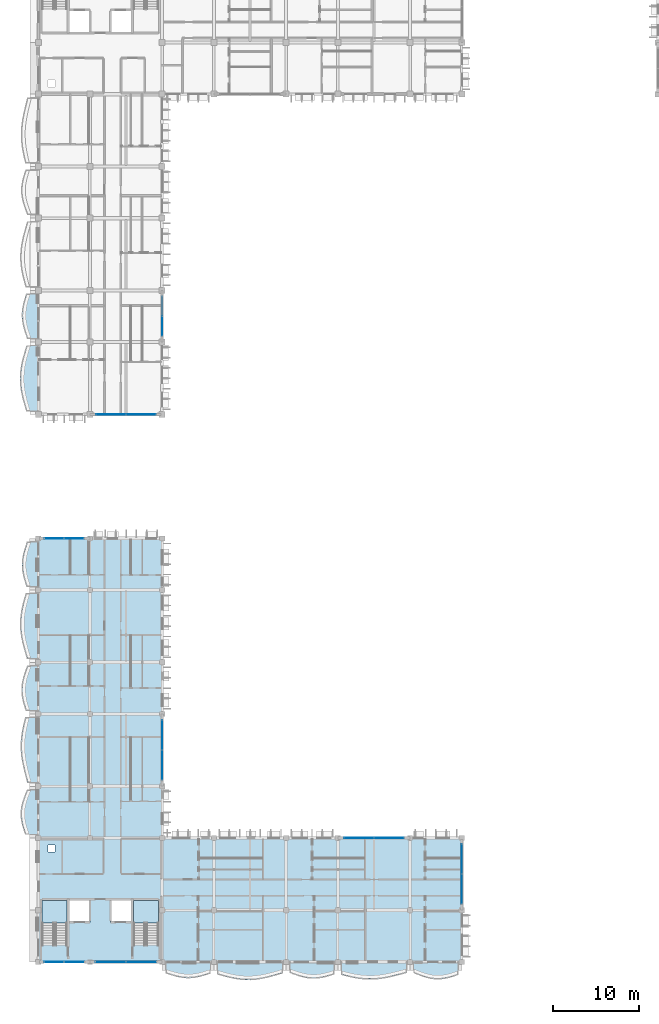
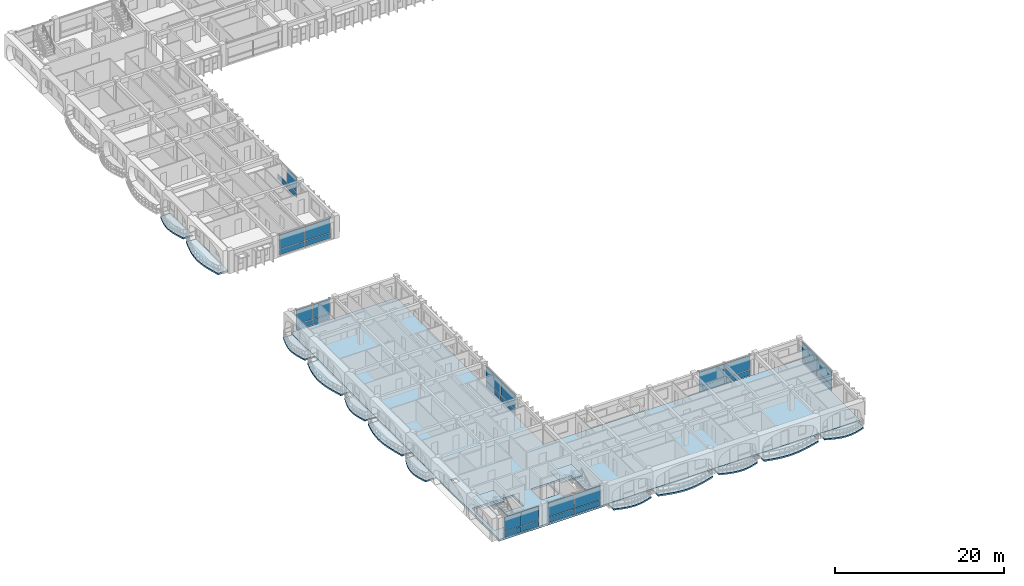
# One storey, part 21 of 79: 31 plates, 15 slabs, 10 elements without a shape of their own.
"""IFC4 building model written with IfcOpenShell, lengths in metres."""

from ifc_helpers import new_model, si_unit, direction, frame, origin, origin_2d, place, context, subcontext, project, spatial, polyline, rectangle, outline, extrude, material, layer, layer_set, type_object, element, aggregate, save


model = new_model("IFC4")

# Units and contexts
model_context = context("Model", 3, precision=1e-05, world=origin(), true_north=direction((0.0, 1.0)))
body_context = subcontext(model_context, "Body", "Model", "MODEL_VIEW")
ifc_project = project(units=[si_unit("LENGTHUNIT", "METRE"), si_unit("AREAUNIT", "SQUARE_METRE"), si_unit("VOLUMEUNIT", "CUBIC_METRE"), si_unit("PLANEANGLEUNIT", "RADIAN"), si_unit("MASSUNIT", "GRAM", prefix="KILO"), si_unit("THERMODYNAMICTEMPERATUREUNIT", "KELVIN")], contexts=[model_context])

# Site, building, storey
site_placement = place(None, origin())
site = spatial("IfcSite", under=ifc_project, at=site_placement, CompositionType="ELEMENT")
building_placement = place(site_placement, origin())
building = spatial("IfcBuilding", under=site, at=building_placement, Name="Thalorik Housing Commons", CompositionType="ELEMENT")
storey_placement = place(building_placement, frame((0.0, 0.0, 11.39990234375)))
storey = spatial("IfcBuildingStorey", under=building, at=storey_placement, Name="L03", CompositionType="ELEMENT", Elevation=11.39990234375)

# Curtain wall, plates
ifc_material_1 = material(Name="Anodised aluminium and solar-control low-E glass", Category="aluminium")
curtain_wall_type_1 = type_object("IfcCurtainWallType", Name="ARC-CW-LOUNGE", PredefinedType="USERDEFINED", material=ifc_material_1)
curtain_wall_1_placement = place(storey_placement, origin())
curtain_wall_1 = element("IfcCurtainWall", 1, at=curtain_wall_1_placement, inside=storey, type_object=curtain_wall_type_1, Name="L03 Curtain Wall CW-RES-L03-A-017", ObjectType="CURTAIN WALL", PredefinedType="USERDEFINED")
ifc_material_2 = material(Name="Cobalt blue enamelled aluminium spandrel panel", Category="aluminium")
ifc_layer_1 = layer(ifc_material_2, 0.0458984375, Name="Cobalt blue enamelled aluminium spandrel panel", Category="aluminium")
ifc_layer_set_1 = layer_set([ifc_layer_1], Name="Cobalt blue enamelled aluminium spandrel panel")
plate_type_1 = type_object("IfcPlateType", Name="ARC-CP-BLU-46", PredefinedType="CURTAIN_PANEL", material=ifc_layer_set_1)
plate_1_placement = place(storey_placement, frame((22.800048828125, 82.25, 0.080078125), z_axis=(0.0, 0.0, 1.0), x_axis=(0.0, 1.0, 0.0)))
plate_1 = element("IfcPlate", 2, at=plate_1_placement, type_object=plate_type_1, Name="CW-RES-L03-A-017 Spandrel Panel 1", PredefinedType="CURTAIN_PANEL", context=body_context, shape_type="SweptSolid", body=[
    extrude(rectangle(XDim=2.239990234375, YDim=0.0458984375, at=origin_2d()), origin(), (0.0, 0.0, 1.0), 0.760009765625),
])
plate_2_placement = place(storey_placement, frame((22.800048828125, 84.550048828125, 0.080078125), z_axis=(0.0, 0.0, 1.0), x_axis=(0.0, 1.0, 0.0)))
plate_2 = element("IfcPlate", 3, at=plate_2_placement, type_object=plate_type_1, Name="CW-RES-L03-A-017 Spandrel Panel 2", PredefinedType="CURTAIN_PANEL", context=body_context, shape_type="SweptSolid", body=[
    extrude(rectangle(XDim=2.239990234375, YDim=0.0458984375, at=origin_2d()), origin(), (0.0, 0.0, 1.0), 0.760009765625),
])

curtain_wall_type_2 = type_object("IfcCurtainWallType", Name="ARC-CW-CORE", PredefinedType="USERDEFINED", material=ifc_material_1)
curtain_wall_2_placement = place(storey_placement, origin())
curtain_wall_2 = element("IfcCurtainWall", 4, at=curtain_wall_2_placement, inside=storey, type_object=curtain_wall_type_2, Name="L03 Curtain Wall CW-CORE-L03-C-140", ObjectType="CURTAIN WALL", PredefinedType="USERDEFINED")
plate_3_placement = place(storey_placement, frame((10.22509765625, 8.39990234375, 0.080078125), z_axis=(0.0, 0.0, 1.0), x_axis=(1.0, 0.0, 0.0)))
plate_3 = element("IfcPlate", 5, at=plate_3_placement, type_object=plate_type_1, Name="CW-CORE-L03-C-140 Spandrel Panel 1", PredefinedType="CURTAIN_PANEL", context=body_context, shape_type="SweptSolid", body=[
    extrude(rectangle(XDim=2.2900390625, YDim=0.0458984375, at=origin_2d()), origin(), (0.0, 0.0, 1.0), 0.760009765625),
])
plate_4_placement = place(storey_placement, frame((12.574951171875, 8.39990234375, 0.080078125), z_axis=(0.0, 0.0, 1.0), x_axis=(1.0, 0.0, 0.0)))
plate_4 = element("IfcPlate", 6, at=plate_4_placement, type_object=plate_type_1, Name="CW-CORE-L03-C-140 Spandrel Panel 2", PredefinedType="CURTAIN_PANEL", context=body_context, shape_type="SweptSolid", body=[
    extrude(rectangle(XDim=2.2900390625, YDim=0.0458984375, at=origin_2d()), origin(), (0.0, 0.0, 1.0), 0.760009765625),
])

curtain_wall_3_placement = place(storey_placement, origin())
curtain_wall_3 = element("IfcCurtainWall", 7, at=curtain_wall_3_placement, inside=storey, type_object=curtain_wall_type_1, Name="L03 Curtain Wall CW-RES-L03-A-016", ObjectType="CURTAIN WALL", PredefinedType="USERDEFINED")
ifc_material_3 = material(Name="Double solar-control low-E glass", Category="glass")
ifc_layer_2 = layer(ifc_material_3, 0.028076171875, Name="Double solar-control low-E glass", Category="glass")
ifc_layer_set_2 = layer_set([ifc_layer_2], Name="Double solar-control low-E glass")
plate_type_2 = type_object("IfcPlateType", Name="ARC-CP-GLZ-28", PredefinedType="CURTAIN_PANEL", material=ifc_layer_set_2)
plate_5_placement = place(storey_placement, frame((16.85009765625, 72.0, 0.920166015625), z_axis=(0.0, 0.0, 1.0), x_axis=(1.0, 0.0, 0.0)))
plate_5 = element("IfcPlate", 8, at=plate_5_placement, type_object=plate_type_2, Name="CW-RES-L03-A-016 Vision Panel 1", PredefinedType="CURTAIN_PANEL", context=body_context, shape_type="SweptSolid", body=[
    extrude(rectangle(XDim=3.43994140625, YDim=0.028076171875, at=origin_2d()), origin(), (0.0, 0.0, 1.0), 2.0400390625),
])
plate_6_placement = place(storey_placement, frame((20.35009765625, 72.0, 0.920166015625), z_axis=(0.0, 0.0, 1.0), x_axis=(1.0, 0.0, 0.0)))
plate_6 = element("IfcPlate", 9, at=plate_6_placement, type_object=plate_type_2, Name="CW-RES-L03-A-016 Vision Panel 2", PredefinedType="CURTAIN_PANEL", context=body_context, shape_type="SweptSolid", body=[
    extrude(rectangle(XDim=3.43994140625, YDim=0.028076171875, at=origin_2d()), origin(), (0.0, 0.0, 1.0), 2.0400390625),
])

# Plate
plate_7_placement = place(storey_placement, frame((22.800048828125, 82.25, 0.920166015625), z_axis=(0.0, 0.0, 1.0), x_axis=(0.0, 1.0, 0.0)))
plate_7 = element("IfcPlate", 10, at=plate_7_placement, type_object=plate_type_2, Name="CW-RES-L03-A-017 Vision Panel 1", PredefinedType="CURTAIN_PANEL", context=body_context, shape_type="SweptSolid", body=[
    extrude(rectangle(XDim=2.239990234375, YDim=0.028076171875, at=origin_2d()), origin(), (0.0, 0.0, 1.0), 2.0400390625),
])

aggregate(curtain_wall_1, [plate_1, plate_7, plate_2])

# Curtain wall, plates
curtain_wall_4_placement = place(storey_placement, origin())
curtain_wall_4 = element("IfcCurtainWall", 11, at=curtain_wall_4_placement, inside=storey, type_object=curtain_wall_type_1, Name="L03 Curtain Wall CW-RES-L03-C-137", ObjectType="CURTAIN WALL", PredefinedType="USERDEFINED")
plate_8_placement = place(storey_placement, frame((22.800048828125, 31.25, 0.920166015625), z_axis=(0.0, 0.0, 1.0), x_axis=(0.0, 1.0, 0.0)))
plate_8 = element("IfcPlate", 12, at=plate_8_placement, type_object=plate_type_2, Name="CW-RES-L03-C-137 Vision Panel 1", PredefinedType="CURTAIN_PANEL", context=body_context, shape_type="SweptSolid", body=[
    extrude(rectangle(XDim=3.43994140625, YDim=0.028076171875, at=origin_2d()), origin(), (0.0, 0.0, 1.0), 2.0400390625),
])
plate_9_placement = place(storey_placement, frame((22.800048828125, 34.75, 0.920166015625), z_axis=(0.0, 0.0, 1.0), x_axis=(0.0, 1.0, 0.0)))
plate_9 = element("IfcPlate", 13, at=plate_9_placement, type_object=plate_type_2, Name="CW-RES-L03-C-137 Vision Panel 2", PredefinedType="CURTAIN_PANEL", context=body_context, shape_type="SweptSolid", body=[
    extrude(rectangle(XDim=3.43994140625, YDim=0.028076171875, at=origin_2d()), origin(), (0.0, 0.0, 1.0), 2.0400390625),
])

curtain_wall_5_placement = place(storey_placement, origin())
curtain_wall_5 = element("IfcCurtainWall", 14, at=curtain_wall_5_placement, inside=storey, type_object=curtain_wall_type_1, Name="L03 Curtain Wall CW-RES-L03-C-138", ObjectType="CURTAIN WALL", PredefinedType="USERDEFINED")
plate_10_placement = place(storey_placement, frame((12.550048828125, 57.60009765625, 0.920166015625), z_axis=(0.0, 0.0, 1.0), x_axis=(-1.0, 0.0, 0.0)))
plate_10 = element("IfcPlate", 15, at=plate_10_placement, type_object=plate_type_2, Name="CW-RES-L03-C-138 Vision Panel 1", PredefinedType="CURTAIN_PANEL", context=body_context, shape_type="SweptSolid", body=[
    extrude(rectangle(XDim=2.239990234375, YDim=0.028076171875, at=origin_2d()), origin(), (0.0, 0.0, 1.0), 2.0400390625),
])
plate_11_placement = place(storey_placement, frame((10.25, 57.60009765625, 0.920166015625), z_axis=(0.0, 0.0, 1.0), x_axis=(-1.0, 0.0, 0.0)))
plate_11 = element("IfcPlate", 16, at=plate_11_placement, type_object=plate_type_2, Name="CW-RES-L03-C-138 Vision Panel 2", PredefinedType="CURTAIN_PANEL", context=body_context, shape_type="SweptSolid", body=[
    extrude(rectangle(XDim=2.239990234375, YDim=0.028076171875, at=origin_2d()), origin(), (0.0, 0.0, 1.0), 2.0400390625),
])

# Plate
plate_12_placement = place(storey_placement, frame((10.22509765625, 8.39990234375, 0.920166015625), z_axis=(0.0, 0.0, 1.0), x_axis=(1.0, 0.0, 0.0)))
plate_12 = element("IfcPlate", 17, at=plate_12_placement, type_object=plate_type_2, Name="CW-CORE-L03-C-140 Vision Panel 1", PredefinedType="CURTAIN_PANEL", context=body_context, shape_type="SweptSolid", body=[
    extrude(rectangle(XDim=2.2900390625, YDim=0.028076171875, at=origin_2d()), origin(), (0.0, 0.0, 1.0), 2.0400390625),
])

plate_13_placement = place(storey_placement, frame((12.574951171875, 8.39990234375, 0.920166015625), z_axis=(0.0, 0.0, 1.0), x_axis=(1.0, 0.0, 0.0)))
plate_13 = element("IfcPlate", 18, at=plate_13_placement, type_object=plate_type_2, Name="CW-CORE-L03-C-140 Vision Panel 2", PredefinedType="CURTAIN_PANEL", context=body_context, shape_type="SweptSolid", body=[
    extrude(rectangle(XDim=2.2900390625, YDim=0.028076171875, at=origin_2d()), origin(), (0.0, 0.0, 1.0), 2.0400390625),
])

aggregate(curtain_wall_2, [plate_3, plate_12, plate_4, plate_13])

# Curtain wall, plates
curtain_wall_6_placement = place(storey_placement, origin())
curtain_wall_6 = element("IfcCurtainWall", 19, at=curtain_wall_6_placement, inside=storey, type_object=curtain_wall_type_2, Name="L03 Curtain Wall CW-CORE-L03-C-141", ObjectType="CURTAIN WALL", PredefinedType="USERDEFINED")
plate_14_placement = place(storey_placement, frame((16.824951171875, 8.39990234375, 0.920166015625), z_axis=(0.0, 0.0, 1.0), x_axis=(1.0, 0.0, 0.0)))
plate_14 = element("IfcPlate", 20, at=plate_14_placement, type_object=plate_type_2, Name="CW-CORE-L03-C-141 Vision Panel 1", PredefinedType="CURTAIN_PANEL", context=body_context, shape_type="SweptSolid", body=[
    extrude(rectangle(XDim=3.489990234375, YDim=0.028076171875, at=origin_2d()), origin(), (0.0, 0.0, 1.0), 2.0400390625),
])
plate_15_placement = place(storey_placement, frame((20.375, 8.39990234375, 0.920166015625), z_axis=(0.0, 0.0, 1.0), x_axis=(1.0, 0.0, 0.0)))
plate_15 = element("IfcPlate", 21, at=plate_15_placement, type_object=plate_type_2, Name="CW-CORE-L03-C-141 Vision Panel 2", PredefinedType="CURTAIN_PANEL", context=body_context, shape_type="SweptSolid", body=[
    extrude(rectangle(XDim=3.489990234375, YDim=0.028076171875, at=origin_2d()), origin(), (0.0, 0.0, 1.0), 2.0400390625),
])

curtain_wall_7_placement = place(storey_placement, origin())
curtain_wall_7 = element("IfcCurtainWall", 22, at=curtain_wall_7_placement, inside=storey, type_object=curtain_wall_type_1, Name="L03 Curtain Wall CW-RES-L03-C-142", ObjectType="CURTAIN WALL", PredefinedType="USERDEFINED")
plate_16_placement = place(storey_placement, frame((57.60009765625, 16.85009765625, 0.920166015625), z_axis=(0.0, 0.0, 1.0), x_axis=(0.0, 1.0, 0.0)))
plate_16 = element("IfcPlate", 23, at=plate_16_placement, type_object=plate_type_2, Name="CW-RES-L03-C-142 Vision Panel 1", PredefinedType="CURTAIN_PANEL", context=body_context, shape_type="SweptSolid", body=[
    extrude(rectangle(XDim=3.43994140625, YDim=0.028076171875, at=origin_2d()), origin(), (0.0, 0.0, 1.0), 2.0400390625),
])
plate_17_placement = place(storey_placement, frame((57.60009765625, 20.35009765625, 0.920166015625), z_axis=(0.0, 0.0, 1.0), x_axis=(0.0, 1.0, 0.0)))
plate_17 = element("IfcPlate", 24, at=plate_17_placement, type_object=plate_type_2, Name="CW-RES-L03-C-142 Vision Panel 2", PredefinedType="CURTAIN_PANEL", context=body_context, shape_type="SweptSolid", body=[
    extrude(rectangle(XDim=3.43994140625, YDim=0.028076171875, at=origin_2d()), origin(), (0.0, 0.0, 1.0), 2.0400390625),
])

curtain_wall_8_placement = place(storey_placement, origin())
curtain_wall_8 = element("IfcCurtainWall", 25, at=curtain_wall_8_placement, inside=storey, type_object=curtain_wall_type_1, Name="L03 Curtain Wall CW-RES-L03-C-143", ObjectType="CURTAIN WALL", PredefinedType="USERDEFINED")
plate_18_placement = place(storey_placement, frame((49.14990234375, 22.800048828125, 0.920166015625), z_axis=(0.0, 0.0, 1.0), x_axis=(-1.0, 0.0, 0.0)))
plate_18 = element("IfcPlate", 26, at=plate_18_placement, type_object=plate_type_2, Name="CW-RES-L03-C-143 Vision Panel 1", PredefinedType="CURTAIN_PANEL", context=body_context, shape_type="SweptSolid", body=[
    extrude(rectangle(XDim=3.43994140625, YDim=0.028076171875, at=origin_2d()), origin(), (0.0, 0.0, 1.0), 2.0400390625),
])
plate_19_placement = place(storey_placement, frame((45.64990234375, 22.800048828125, 0.920166015625), z_axis=(0.0, 0.0, 1.0), x_axis=(-1.0, 0.0, 0.0)))
plate_19 = element("IfcPlate", 27, at=plate_19_placement, type_object=plate_type_2, Name="CW-RES-L03-C-143 Vision Panel 2", PredefinedType="CURTAIN_PANEL", context=body_context, shape_type="SweptSolid", body=[
    extrude(rectangle(XDim=3.43994140625, YDim=0.028076171875, at=origin_2d()), origin(), (0.0, 0.0, 1.0), 2.0400390625),
])

# Plate
ifc_material_4 = material(Name="Oxide red enamelled aluminium spandrel panel", Category="aluminium")
ifc_layer_3 = layer(ifc_material_4, 0.0419921875, Name="Oxide red enamelled aluminium spandrel panel", Category="aluminium")
ifc_layer_set_3 = layer_set([ifc_layer_3], Name="Oxide red enamelled aluminium spandrel panel")
plate_type_3 = type_object("IfcPlateType", Name="ARC-CP-RED-42", PredefinedType="CURTAIN_PANEL", material=ifc_layer_set_3)
plate_20_placement = place(storey_placement, frame((22.800048828125, 31.25, 0.080078125), z_axis=(0.0, 0.0, 1.0), x_axis=(0.0, 1.0, 0.0)))
plate_20 = element("IfcPlate", 28, at=plate_20_placement, type_object=plate_type_3, Name="CW-RES-L03-C-137 Spandrel Panel 1", PredefinedType="CURTAIN_PANEL", context=body_context, shape_type="SweptSolid", body=[
    extrude(rectangle(XDim=3.43994140625, YDim=0.0419921875, at=origin_2d()), origin(), (0.0, 0.0, 1.0), 0.760009765625),
])

plate_21_placement = place(storey_placement, frame((22.800048828125, 34.75, 0.080078125), z_axis=(0.0, 0.0, 1.0), x_axis=(0.0, 1.0, 0.0)))
plate_21 = element("IfcPlate", 29, at=plate_21_placement, type_object=plate_type_3, Name="CW-RES-L03-C-137 Spandrel Panel 2", PredefinedType="CURTAIN_PANEL", context=body_context, shape_type="SweptSolid", body=[
    extrude(rectangle(XDim=3.43994140625, YDim=0.0419921875, at=origin_2d()), origin(), (0.0, 0.0, 1.0), 0.760009765625),
])

aggregate(curtain_wall_4, [plate_20, plate_8, plate_21, plate_9])

plate_22_placement = place(storey_placement, frame((57.60009765625, 16.85009765625, 0.080078125), z_axis=(0.0, 0.0, 1.0), x_axis=(0.0, 1.0, 0.0)))
plate_22 = element("IfcPlate", 30, at=plate_22_placement, type_object=plate_type_3, Name="CW-RES-L03-C-142 Spandrel Panel 1", PredefinedType="CURTAIN_PANEL", context=body_context, shape_type="SweptSolid", body=[
    extrude(rectangle(XDim=3.43994140625, YDim=0.0419921875, at=origin_2d()), origin(), (0.0, 0.0, 1.0), 0.760009765625),
])

plate_23_placement = place(storey_placement, frame((57.60009765625, 20.35009765625, 0.080078125), z_axis=(0.0, 0.0, 1.0), x_axis=(0.0, 1.0, 0.0)))
plate_23 = element("IfcPlate", 31, at=plate_23_placement, type_object=plate_type_3, Name="CW-RES-L03-C-142 Spandrel Panel 2", PredefinedType="CURTAIN_PANEL", context=body_context, shape_type="SweptSolid", body=[
    extrude(rectangle(XDim=3.43994140625, YDim=0.0419921875, at=origin_2d()), origin(), (0.0, 0.0, 1.0), 0.760009765625),
])

aggregate(curtain_wall_7, [plate_22, plate_16, plate_23, plate_17])

ifc_material_5 = material(Name="Mineral ochre yellow aluminium spandrel panel", Category="aluminium")
ifc_layer_4 = layer(ifc_material_5, 0.050048828125, Name="Mineral ochre yellow aluminium spandrel panel", Category="aluminium")
ifc_layer_set_4 = layer_set([ifc_layer_4], Name="Mineral ochre yellow aluminium spandrel panel")
plate_type_4 = type_object("IfcPlateType", Name="ARC-CP-YEL-50", PredefinedType="CURTAIN_PANEL", material=ifc_layer_set_4)
plate_24_placement = place(storey_placement, frame((16.85009765625, 72.0, 0.080078125), z_axis=(0.0, 0.0, 1.0), x_axis=(1.0, 0.0, 0.0)))
plate_24 = element("IfcPlate", 32, at=plate_24_placement, type_object=plate_type_4, Name="CW-RES-L03-A-016 Spandrel Panel 1", PredefinedType="CURTAIN_PANEL", context=body_context, shape_type="SweptSolid", body=[
    extrude(rectangle(XDim=3.43994140625, YDim=0.050048828125, at=origin_2d()), origin(), (0.0, 0.0, 1.0), 0.760009765625),
])

plate_25_placement = place(storey_placement, frame((20.35009765625, 72.0, 0.080078125), z_axis=(0.0, 0.0, 1.0), x_axis=(1.0, 0.0, 0.0)))
plate_25 = element("IfcPlate", 33, at=plate_25_placement, type_object=plate_type_4, Name="CW-RES-L03-A-016 Spandrel Panel 2", PredefinedType="CURTAIN_PANEL", context=body_context, shape_type="SweptSolid", body=[
    extrude(rectangle(XDim=3.43994140625, YDim=0.050048828125, at=origin_2d()), origin(), (0.0, 0.0, 1.0), 0.760009765625),
])

aggregate(curtain_wall_3, [plate_24, plate_5, plate_25, plate_6])

plate_26_placement = place(storey_placement, frame((12.550048828125, 57.60009765625, 0.080078125), z_axis=(0.0, 0.0, 1.0), x_axis=(-1.0, 0.0, 0.0)))
plate_26 = element("IfcPlate", 34, at=plate_26_placement, type_object=plate_type_4, Name="CW-RES-L03-C-138 Spandrel Panel 1", PredefinedType="CURTAIN_PANEL", context=body_context, shape_type="SweptSolid", body=[
    extrude(rectangle(XDim=2.239990234375, YDim=0.050048828125, at=origin_2d()), origin(), (0.0, 0.0, 1.0), 0.760009765625),
])

plate_27_placement = place(storey_placement, frame((10.25, 57.60009765625, 0.080078125), z_axis=(0.0, 0.0, 1.0), x_axis=(-1.0, 0.0, 0.0)))
plate_27 = element("IfcPlate", 35, at=plate_27_placement, type_object=plate_type_4, Name="CW-RES-L03-C-138 Spandrel Panel 2", PredefinedType="CURTAIN_PANEL", context=body_context, shape_type="SweptSolid", body=[
    extrude(rectangle(XDim=2.239990234375, YDim=0.050048828125, at=origin_2d()), origin(), (0.0, 0.0, 1.0), 0.760009765625),
])

aggregate(curtain_wall_5, [plate_26, plate_10, plate_27, plate_11])

plate_28_placement = place(storey_placement, frame((16.824951171875, 8.39990234375, 0.080078125), z_axis=(0.0, 0.0, 1.0), x_axis=(1.0, 0.0, 0.0)))
plate_28 = element("IfcPlate", 36, at=plate_28_placement, type_object=plate_type_4, Name="CW-CORE-L03-C-141 Spandrel Panel 1", PredefinedType="CURTAIN_PANEL", context=body_context, shape_type="SweptSolid", body=[
    extrude(rectangle(XDim=3.489990234375, YDim=0.050048828125, at=origin_2d()), origin(), (0.0, 0.0, 1.0), 0.760009765625),
])

plate_29_placement = place(storey_placement, frame((20.375, 8.39990234375, 0.080078125), z_axis=(0.0, 0.0, 1.0), x_axis=(1.0, 0.0, 0.0)))
plate_29 = element("IfcPlate", 37, at=plate_29_placement, type_object=plate_type_4, Name="CW-CORE-L03-C-141 Spandrel Panel 2", PredefinedType="CURTAIN_PANEL", context=body_context, shape_type="SweptSolid", body=[
    extrude(rectangle(XDim=3.489990234375, YDim=0.050048828125, at=origin_2d()), origin(), (0.0, 0.0, 1.0), 0.760009765625),
])

aggregate(curtain_wall_6, [plate_28, plate_14, plate_29, plate_15])

plate_30_placement = place(storey_placement, frame((49.14990234375, 22.800048828125, 0.080078125), z_axis=(0.0, 0.0, 1.0), x_axis=(-1.0, 0.0, 0.0)))
plate_30 = element("IfcPlate", 38, at=plate_30_placement, type_object=plate_type_4, Name="CW-RES-L03-C-143 Spandrel Panel 1", PredefinedType="CURTAIN_PANEL", context=body_context, shape_type="SweptSolid", body=[
    extrude(rectangle(XDim=3.43994140625, YDim=0.050048828125, at=origin_2d()), origin(), (0.0, 0.0, 1.0), 0.760009765625),
])

plate_31_placement = place(storey_placement, frame((45.64990234375, 22.800048828125, 0.080078125), z_axis=(0.0, 0.0, 1.0), x_axis=(-1.0, 0.0, 0.0)))
plate_31 = element("IfcPlate", 39, at=plate_31_placement, type_object=plate_type_4, Name="CW-RES-L03-C-143 Spandrel Panel 2", PredefinedType="CURTAIN_PANEL", context=body_context, shape_type="SweptSolid", body=[
    extrude(rectangle(XDim=3.43994140625, YDim=0.050048828125, at=origin_2d()), origin(), (0.0, 0.0, 1.0), 0.760009765625),
])

aggregate(curtain_wall_8, [plate_30, plate_18, plate_31, plate_19])

# Stair, slab
ifc_material_6 = material(Name="Precast concrete C40/50", Category="concrete")
stair_type = type_object("IfcStairType", Name="ARC-STR-1350-R20", PredefinedType="HALF_TURN_STAIR", material=ifc_material_6)
stair_1_placement = place(storey_placement, origin())
stair_1 = element("IfcStair", 40, at=stair_1_placement, inside=storey, type_object=stair_type, Name="L03 Block C Smoke-Proof Stair 1", PredefinedType="HALF_TURN_STAIR")
ifc_layer_5 = layer(ifc_material_6, 0.199951171875, Name="Precast concrete C40/50", Category="concrete")
ifc_layer_set_5 = layer_set([ifc_layer_5], Name="Precast concrete C40/50")
slab_type_1 = type_object("IfcSlabType", Name="ARC-SLB-STLND-200", PredefinedType="LANDING", material=ifc_layer_set_5)
slab_1_placement = place(storey_placement, frame((0.0, 0.0, 1.4501953125)))
slab_1 = element("IfcSlab", 41, at=slab_1_placement, type_object=slab_type_1, Name="ST-C1 landing 1", PredefinedType="LANDING", context=body_context, shape_type="SweptSolid", body=[
    extrude(outline(polyline([(11.75, 12.909912109375), (11.75, 15.550048828125), (8.85009765625, 15.550048828125), (8.85009765625, 12.909912109375), (11.75, 12.909912109375)])), origin(), (0.0, 0.0, 1.0), 0.199951171875),
])
aggregate(stair_1, [slab_1])

stair_2_placement = place(storey_placement, origin())
stair_2 = element("IfcStair", 42, at=stair_2_placement, inside=storey, type_object=stair_type, Name="L03 Block C Smoke-Proof Stair 2", PredefinedType="HALF_TURN_STAIR")
slab_2_placement = place(storey_placement, frame((0.0, 0.0, 1.4501953125)))
slab_2 = element("IfcSlab", 43, at=slab_2_placement, type_object=slab_type_1, Name="ST-C2 landing 1", PredefinedType="LANDING", context=body_context, shape_type="SweptSolid", body=[
    extrude(outline(polyline([(22.35009765625, 12.909912109375), (22.35009765625, 15.550048828125), (19.449951171875, 15.550048828125), (19.449951171875, 12.909912109375), (22.35009765625, 12.909912109375)])), origin(), (0.0, 0.0, 1.0), 0.199951171875),
])
aggregate(stair_2, [slab_2])

# Slabs
ifc_layer_6 = layer(ifc_material_6, 0.199951171875, Name="Precast concrete C40/50", Category="concrete")
ifc_layer_set_6 = layer_set([ifc_layer_6], Name="Precast concrete C40/50")
slab_type_2 = type_object("IfcSlabType", Name="STR-SLB-BALC-200", PredefinedType="FLOOR", material=ifc_layer_set_6)
slab_3_placement = place(storey_placement, frame((0.0, 0.0, -0.199951171875)))
element("IfcSlab", 44, at=slab_3_placement, inside=storey, type_object=slab_type_2, Name="L03 Block A Cushion Balcony 17", PredefinedType="FLOOR", context=body_context, shape_type="SweptSolid", body=[
    extrude(outline(polyline([(8.39990234375, 80.820068359375), (8.39990234375, 85.97998046875), (7.021728515625, 85.97998046875), (6.885498046875, 85.550048828125), (6.759765625, 85.1201171875), (6.65380859375, 84.68994140625), (6.5751953125, 84.260009765625), (6.530029296875, 83.830078125), (6.522216796875, 83.39990234375), (6.55224609375, 82.969970703125), (6.61865234375, 82.5400390625), (6.71728515625, 82.110107421875), (6.841064453125, 81.679931640625), (6.9814453125, 81.25), (7.129150390625, 80.820068359375), (8.39990234375, 80.820068359375)])), origin(), (0.0, 0.0, 1.0), 0.199951171875),
])
slab_4_placement = place(storey_placement, frame((0.0, 0.0, -0.199951171875)))
element("IfcSlab", 45, at=slab_4_placement, inside=storey, type_object=slab_type_2, Name="L03 Block C Cushion Balcony 261", PredefinedType="FLOOR", context=body_context, shape_type="SweptSolid", body=[
    extrude(outline(polyline([(8.39990234375, 23.219970703125), (8.39990234375, 28.3798828125), (7.12158203125, 28.3798828125), (6.947021484375, 27.949951171875), (6.781005859375, 27.52001953125), (6.633544921875, 27.090087890625), (6.514404296875, 26.659912109375), (6.430908203125, 26.22998046875), (6.38818359375, 25.800048828125), (6.38818359375, 25.3701171875), (6.43017578125, 24.93994140625), (6.510986328125, 24.510009765625), (6.6240234375, 24.080078125), (6.76171875, 23.64990234375), (6.9140625, 23.219970703125), (8.39990234375, 23.219970703125)])), origin(), (0.0, 0.0, 1.0), 0.199951171875),
])
slab_5_placement = place(storey_placement, frame((0.0, 0.0, -0.199951171875)))
element("IfcSlab", 46, at=slab_5_placement, inside=storey, type_object=slab_type_2, Name="L03 Block C Cushion Balcony 263", PredefinedType="FLOOR", context=body_context, shape_type="SweptSolid", body=[
    extrude(outline(polyline([(8.39990234375, 37.6201171875), (8.39990234375, 42.780029296875), (7.149658203125, 42.780029296875), (6.990966796875, 42.35009765625), (6.8388671875, 41.919921875), (6.70361328125, 41.489990234375), (6.593994140625, 41.06005859375), (6.517578125, 40.6298828125), (6.478515625, 40.199951171875), (6.47900390625, 39.77001953125), (6.5185546875, 39.340087890625), (6.593505859375, 38.909912109375), (6.6982421875, 38.47998046875), (6.82470703125, 38.050048828125), (6.963623046875, 37.6201171875), (8.39990234375, 37.6201171875)])), origin(), (0.0, 0.0, 1.0), 0.199951171875),
])
slab_6_placement = place(storey_placement, frame((0.0, 0.0, -0.199951171875)))
element("IfcSlab", 47, at=slab_6_placement, inside=storey, type_object=slab_type_2, Name="L03 Block C Cushion Balcony 265", PredefinedType="FLOOR", context=body_context, shape_type="SweptSolid", body=[
    extrude(outline(polyline([(8.39990234375, 52.02001953125), (8.39990234375, 57.179931640625), (7.1083984375, 57.179931640625), (6.96533203125, 56.75), (6.830078125, 56.320068359375), (6.7119140625, 55.889892578125), (6.619140625, 55.4599609375), (6.55859375, 55.030029296875), (6.533935546875, 54.60009765625), (6.547119140625, 54.169921875), (6.5966796875, 53.739990234375), (6.678955078125, 53.31005859375), (6.7880859375, 52.8798828125), (6.915771484375, 52.449951171875), (7.052734375, 52.02001953125), (8.39990234375, 52.02001953125)])), origin(), (0.0, 0.0, 1.0), 0.199951171875),
])
slab_7_placement = place(storey_placement, frame((0.0, 0.0, -0.199951171875)))
element("IfcSlab", 48, at=slab_7_placement, inside=storey, type_object=slab_type_2, Name="L03 Block C Cushion Balcony 266", PredefinedType="FLOOR", context=body_context, shape_type="SweptSolid", body=[
    extrude(outline(polyline([(23.219970703125, 7.095703125), (23.64990234375, 6.954833984375), (24.080078125, 6.822021484375), (24.510009765625, 6.706298828125), (24.93994140625, 6.616455078125), (25.3701171875, 6.55859375), (25.800048828125, 6.537109375), (26.22998046875, 6.552978515625), (26.659912109375, 6.60498046875), (27.090087890625, 6.689697265625), (27.52001953125, 6.80078125), (27.949951171875, 6.9296875), (28.3798828125, 7.06787109375), (28.3798828125, 8.39990234375), (23.219970703125, 8.39990234375), (23.219970703125, 7.095703125)])), origin(), (0.0, 0.0, 1.0), 0.199951171875),
])
slab_8_placement = place(storey_placement, frame((0.0, 0.0, -0.199951171875)))
element("IfcSlab", 49, at=slab_8_placement, inside=storey, type_object=slab_type_2, Name="L03 Block C Cushion Balcony 268", PredefinedType="FLOOR", context=body_context, shape_type="SweptSolid", body=[
    extrude(outline(polyline([(37.6201171875, 7.1474609375), (38.050048828125, 6.99169921875), (38.47998046875, 6.84228515625), (38.909912109375, 6.7099609375), (39.340087890625, 6.60302734375), (39.77001953125, 6.528564453125), (40.199951171875, 6.491455078125), (40.6298828125, 6.493408203125), (41.06005859375, 6.53369140625), (41.489990234375, 6.609130859375), (41.919921875, 6.713623046875), (42.35009765625, 6.83935546875), (42.780029296875, 6.97705078125), (42.780029296875, 8.39990234375), (37.6201171875, 8.39990234375), (37.6201171875, 7.1474609375)])), origin(), (0.0, 0.0, 1.0), 0.199951171875),
])
slab_9_placement = place(storey_placement, frame((0.0, 0.0, -0.199951171875)))
element("IfcSlab", 50, at=slab_9_placement, inside=storey, type_object=slab_type_2, Name="L03 Block C Cushion Balcony 270", PredefinedType="FLOOR", context=body_context, shape_type="SweptSolid", body=[
    extrude(outline(polyline([(52.02001953125, 7.130859375), (52.449951171875, 6.95849609375), (52.8798828125, 6.794189453125), (53.31005859375, 6.648193359375), (53.739990234375, 6.52978515625), (54.169921875, 6.446533203125), (54.60009765625, 6.403564453125), (55.030029296875, 6.402587890625), (55.4599609375, 6.443359375), (55.889892578125, 6.522216796875), (56.320068359375, 6.63330078125), (56.75, 6.768310546875), (57.179931640625, 6.917724609375), (57.179931640625, 8.39990234375), (52.02001953125, 8.39990234375), (52.02001953125, 7.130859375)])), origin(), (0.0, 0.0, 1.0), 0.199951171875),
])
ifc_layer_7 = layer(ifc_material_6, 0.219970703125, Name="Precast concrete C40/50", Category="concrete")
ifc_layer_set_7 = layer_set([ifc_layer_7], Name="Precast concrete C40/50")
slab_type_3 = type_object("IfcSlabType", Name="STR-SLB-BALC-220", PredefinedType="FLOOR", material=ifc_layer_set_7)
slab_10_placement = place(storey_placement, frame((0.0, 0.0, -0.219970703125)))
element("IfcSlab", 51, at=slab_10_placement, inside=storey, type_object=slab_type_3, Name="L03 Block A Cushion Balcony 16", PredefinedType="FLOOR", context=body_context, shape_type="SweptSolid", body=[
    extrude(outline(polyline([(8.39990234375, 72.419921875), (8.39990234375, 79.97998046875), (7.0556640625, 79.97998046875), (6.86474609375, 79.35009765625), (6.685302734375, 78.719970703125), (6.529541015625, 78.090087890625), (6.408447265625, 77.4599609375), (6.33056640625, 76.830078125), (6.301025390625, 76.199951171875), (6.322021484375, 75.570068359375), (6.392333984375, 74.93994140625), (6.5068359375, 74.31005859375), (6.65771484375, 73.679931640625), (6.83447265625, 73.050048828125), (7.02490234375, 72.419921875), (8.39990234375, 72.419921875)])), origin(), (0.0, 0.0, 1.0), 0.219970703125),
])
slab_11_placement = place(storey_placement, frame((0.0, 0.0, -0.219970703125)))
element("IfcSlab", 52, at=slab_11_placement, inside=storey, type_object=slab_type_3, Name="L03 Block C Cushion Balcony 262", PredefinedType="FLOOR", context=body_context, shape_type="SweptSolid", body=[
    extrude(outline(polyline([(8.39990234375, 29.219970703125), (8.39990234375, 36.780029296875), (6.91455078125, 36.780029296875), (6.75390625, 36.14990234375), (6.61279296875, 35.52001953125), (6.501220703125, 34.889892578125), (6.426025390625, 34.260009765625), (6.392822265625, 33.6298828125), (6.403564453125, 33.0), (6.456787109375, 32.3701171875), (6.54931640625, 31.739990234375), (6.67431640625, 31.110107421875), (6.822998046875, 30.47998046875), (6.9853515625, 29.85009765625), (7.14990234375, 29.219970703125), (8.39990234375, 29.219970703125)])), origin(), (0.0, 0.0, 1.0), 0.219970703125),
])
slab_12_placement = place(storey_placement, frame((0.0, 0.0, -0.219970703125)))
element("IfcSlab", 53, at=slab_12_placement, inside=storey, type_object=slab_type_3, Name="L03 Block C Cushion Balcony 264", PredefinedType="FLOOR", context=body_context, shape_type="SweptSolid", body=[
    extrude(outline(polyline([(8.39990234375, 43.6201171875), (8.39990234375, 51.179931640625), (6.96630859375, 51.179931640625), (6.783203125, 50.550048828125), (6.61767578125, 49.919921875), (6.48095703125, 49.2900390625), (6.382568359375, 48.659912109375), (6.329345703125, 48.030029296875), (6.32470703125, 47.39990234375), (6.36865234375, 46.77001953125), (6.458251953125, 46.139892578125), (6.58740234375, 45.510009765625), (6.74658203125, 44.8798828125), (6.92529296875, 44.25), (7.110595703125, 43.6201171875), (8.39990234375, 43.6201171875)])), origin(), (0.0, 0.0, 1.0), 0.219970703125),
])
slab_13_placement = place(storey_placement, frame((0.0, 0.0, -0.219970703125)))
element("IfcSlab", 54, at=slab_13_placement, inside=storey, type_object=slab_type_3, Name="L03 Block C Cushion Balcony 267", PredefinedType="FLOOR", context=body_context, shape_type="SweptSolid", body=[
    extrude(outline(polyline([(29.219970703125, 6.979736328125), (29.85009765625, 6.794189453125), (30.47998046875, 6.625244140625), (31.110107421875, 6.484619140625), (31.739990234375, 6.382080078125), (32.3701171875, 6.324462890625), (33.0, 6.31591796875), (33.6298828125, 6.356689453125), (34.260009765625, 6.444091796875), (34.889892578125, 6.572021484375), (35.52001953125, 6.731201171875), (36.14990234375, 6.910888671875), (36.780029296875, 7.098388671875), (36.780029296875, 8.39990234375), (29.219970703125, 8.39990234375), (29.219970703125, 6.979736328125)])), origin(), (0.0, 0.0, 1.0), 0.219970703125),
])
slab_14_placement = place(storey_placement, frame((0.0, 0.0, -0.219970703125)))
element("IfcSlab", 55, at=slab_14_placement, inside=storey, type_object=slab_type_3, Name="L03 Block C Cushion Balcony 269", PredefinedType="FLOOR", context=body_context, shape_type="SweptSolid", body=[
    extrude(outline(polyline([(43.6201171875, 6.918701171875), (44.25, 6.75390625), (44.8798828125, 6.608642578125), (45.510009765625, 6.492919921875), (46.139892578125, 6.414794921875), (46.77001953125, 6.37890625), (47.39990234375, 6.38818359375), (48.030029296875, 6.44140625), (48.659912109375, 6.534912109375), (49.2900390625, 6.661865234375), (49.919921875, 6.8134765625), (50.550048828125, 6.979248046875), (51.179931640625, 7.14794921875), (51.179931640625, 8.39990234375), (43.6201171875, 8.39990234375), (43.6201171875, 6.918701171875)])), origin(), (0.0, 0.0, 1.0), 0.219970703125),
])
ifc_material_7 = material(Name="Precast concrete C45/55", Category="concrete")
ifc_layer_8 = layer(ifc_material_7, 0.260009765625, Name="Precast concrete C45/55", Category="concrete")
ifc_layer_set_8 = layer_set([ifc_layer_8], Name="Precast concrete C45/55")
slab_type_4 = type_object("IfcSlabType", Name="STR-SLB-HC-260", PredefinedType="FLOOR", material=ifc_layer_set_8)
slab_15_placement = place(storey_placement, frame((0.0, 0.0, -0.260009765625)))
element("IfcSlab", 56, at=slab_15_placement, inside=storey, type_object=slab_type_4, Name="L03 Residential Block C Floor Slab", PredefinedType="FLOOR", context=body_context, shape_type="SweptSolid", body=[
    extrude(outline(polyline([(8.39990234375, 8.39990234375), (22.800048828125, 8.39990234375), (57.60009765625, 8.39990234375), (57.60009765625, 22.800048828125), (22.800048828125, 22.800048828125), (22.800048828125, 57.60009765625), (8.39990234375, 57.60009765625), (8.39990234375, 8.39990234375)]), holes=[polyline([(11.75, 10.35009765625), (8.85009765625, 10.35009765625), (8.85009765625, 15.550048828125), (11.75, 15.550048828125), (11.75, 10.35009765625)]), polyline([(19.449951171875, 10.35009765625), (19.449951171875, 15.550048828125), (22.35009765625, 15.550048828125), (22.35009765625, 10.35009765625), (19.449951171875, 10.35009765625)]), polyline([(14.39990234375, 15.550048828125), (14.39990234375, 13.0), (12.0, 13.0), (12.0, 15.550048828125), (14.39990234375, 15.550048828125)]), polyline([(19.199951171875, 13.0), (16.800048828125, 13.0), (16.800048828125, 15.550048828125), (19.199951171875, 15.550048828125), (19.199951171875, 13.0)]), polyline([(9.550048828125, 21.14990234375), (9.550048828125, 21.949951171875), (10.35009765625, 21.949951171875), (10.35009765625, 21.14990234375), (9.550048828125, 21.14990234375)])]), origin(), (0.0, 0.0, 1.0), 0.260009765625),
])

save(model, "model.ifc")
